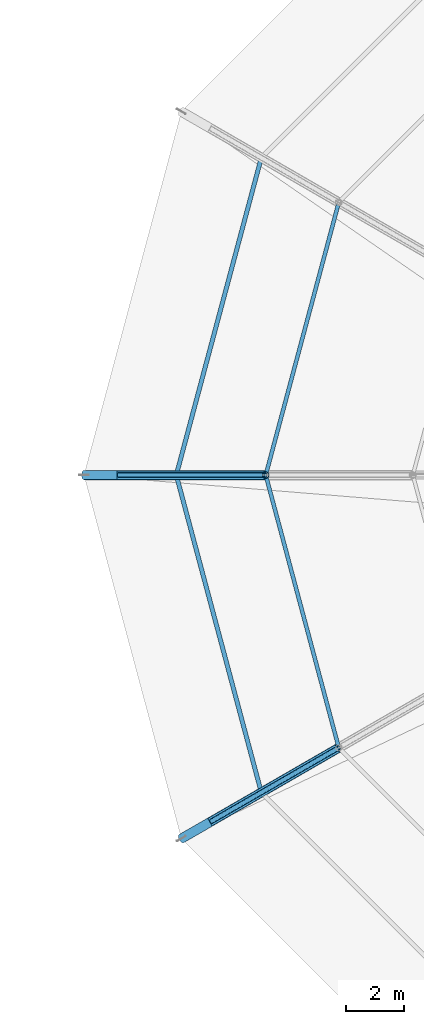
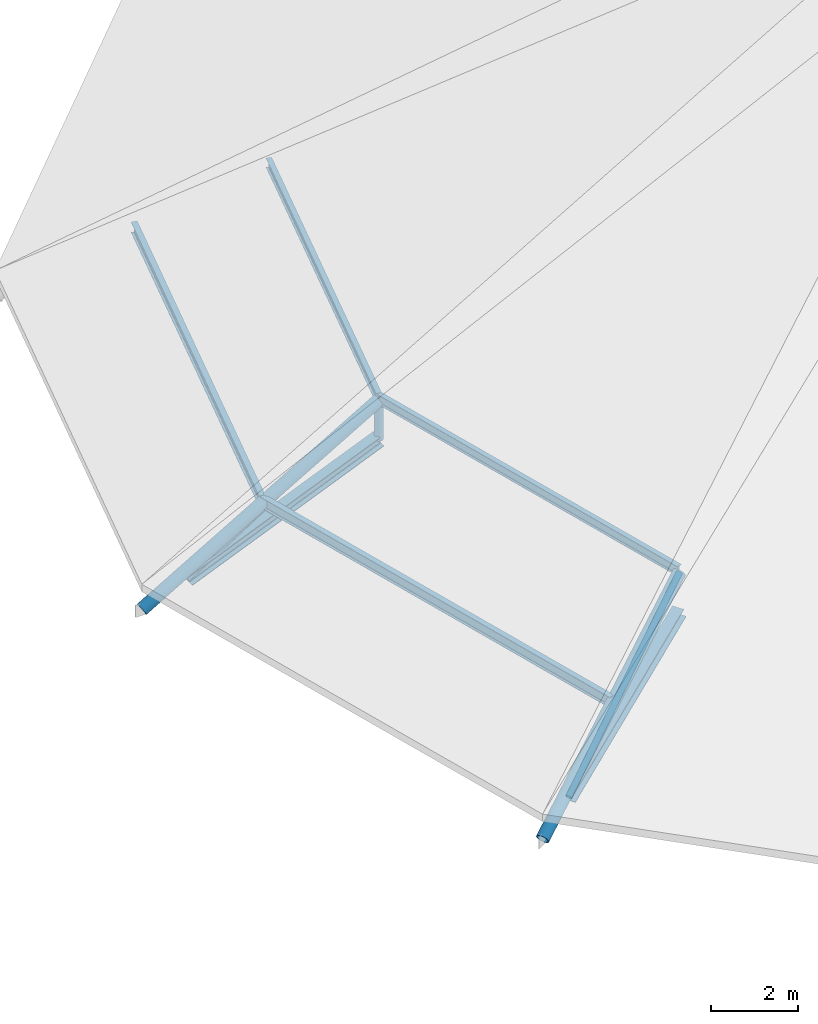
# One storey, part 10 of 58: 11 members.
"""IFC4 building model written with IfcOpenShell, lengths in metres."""

from ifc_helpers import new_model, si_unit, derived_unit, direction, frame, origin, origin_2d, place, context, subcontext, project, spatial, hollow_circle, i_section, extrude, material, material_profile, profile_set, type_object, element, save


model = new_model("IFC4")

# Units and contexts
model_context = context("Model", 3, precision=1e-05, world=origin(), true_north=direction((0.0, 1.0)))
body_context = subcontext(model_context, "Body", "Model", "MODEL_VIEW")
ifc_project = project(units=[si_unit("LENGTHUNIT", "METRE"), si_unit("AREAUNIT", "SQUARE_METRE"), si_unit("VOLUMEUNIT", "CUBIC_METRE"), si_unit("PLANEANGLEUNIT", "RADIAN"), si_unit("MASSUNIT", "GRAM", prefix="KILO"), derived_unit("THERMALTRANSMITTANCEUNIT", [(si_unit("POWERUNIT", "WATT"), 1), (si_unit("AREAUNIT", "SQUARE_METRE"), -1), (si_unit("THERMODYNAMICTEMPERATUREUNIT", "KELVIN"), -1)])], contexts=[model_context])

# Site, building, storey
site_placement = place(None, origin())
site = spatial("IfcSite", under=ifc_project, at=site_placement, CompositionType="ELEMENT")
building_placement = place(site_placement, origin())
building = spatial("IfcBuilding", under=site, at=building_placement, Name="Yasenodar Specialist Clinic", CompositionType="ELEMENT")
storey_placement = place(building_placement, frame((0.0, 0.0, 21.300048828125)))
storey = spatial("IfcBuildingStorey", under=building, at=storey_placement, Name="L05", CompositionType="ELEMENT", Elevation=21.300048828125)

# Members
ifc_material = material(Name="Steel S355", Category="steel")
ifc_material_profile_1 = material_profile(ifc_material, i_section(OverallWidth=0.135009765625, OverallDepth=0.27001953125, WebThickness=0.006591796875, FlangeThickness=0.01025390625, FilletRadius=0.014892578125, at=origin_2d()), Name="IPE 270")
ifc_profile_set_1 = profile_set([ifc_material_profile_1], Name="Steel S355")
member_type_1 = type_object("IfcMemberType", Name="PR-IPE270", PredefinedType="PURLIN", material=ifc_profile_set_1)
for number, where, z_axis, x_axis, name in (
    (1, (64.632080078125, 68.25, 3.034912109375), (-0.258807184805, -0.965929004168, 0.0), (0.965929004168, -0.258807184805, 0.0), "Drum Roof Concentric Purlin 2.06"),
    (2, (62.10009765625, 58.800048828125, 3.034912109375), (0.258807184805, -0.965929004168, 0.0), (0.965929004168, 0.258807184805, 0.0), "Drum Roof Concentric Purlin 2.07"),
):
    element("IfcMember", number, at=place(storey_placement, frame(where, z_axis=z_axis, x_axis=x_axis)), inside=storey, type_object=member_type_1, Name=name, PredefinedType="PURLIN", context=body_context, shape_type="SweptSolid", body=[
        extrude(i_section(OverallWidth=0.135009765625, OverallDepth=0.27001953125, WebThickness=0.006591796875, FlangeThickness=0.01025390625, FilletRadius=0.014892578125, at=origin_2d()), origin(), (0.0, 0.0, 1.0), 9.783203125),
    ])
ifc_material_profile_2 = material_profile(ifc_material, i_section(OverallWidth=0.14990234375, OverallDepth=0.300048828125, WebThickness=0.007080078125, FlangeThickness=0.0107421875, FilletRadius=0.014892578125, at=origin_2d()), Name="IPE 300")
ifc_profile_set_2 = profile_set([ifc_material_profile_2], Name="Steel S355")
member_type_2 = type_object("IfcMemberType", Name="PR-IPE300", PredefinedType="PURLIN", material=ifc_profile_set_2)
for number, where, z_axis, x_axis, name in (
    (3, (61.947509765625, 69.800048828125, 1.2265625), (-0.258824669437, -0.965924319236, 0.0), (0.965924319236, -0.258824669437, 0.0), "Drum Roof Concentric Purlin 1.06"),
    (4, (59.0, 58.800048828125, 1.2265625), (0.258824669437, -0.965924319236, 0.0), (0.965924319236, 0.258824669437, 0.0), "Drum Roof Concentric Purlin 1.07"),
):
    element("IfcMember", number, at=place(storey_placement, frame(where, z_axis=z_axis, x_axis=x_axis)), inside=storey, type_object=member_type_2, Name=name, PredefinedType="PURLIN", context=body_context, shape_type="SweptSolid", body=[
        extrude(i_section(OverallWidth=0.14990234375, OverallDepth=0.300048828125, WebThickness=0.007080078125, FlangeThickness=0.0107421875, FilletRadius=0.014892578125, at=origin_2d()), origin(), (0.0, 0.0, 1.0), 11.387939453125),
    ])
ifc_material_profile_3 = material_profile(ifc_material, hollow_circle(Radius=0.084228515625, WallThickness=0.008056640625, at=origin_2d()), Name="CHS 168.3x8")
ifc_profile_set_3 = profile_set([ifc_material_profile_3], Name="Steel S355")
member_type_3 = type_object("IfcMemberType", Name="TR-BRC-CHS168", PredefinedType="BRACE", material=ifc_profile_set_3)
for number, where, z_axis, x_axis, name in (
    (5, (57.0, 58.800048828125, -0.25), (0.845209012224, 0.0, 0.534435894804), (0.0, 1.0, 0.0), "Drum Roof Truss 07 Web Diagonal 1"),
    (6, (60.21533203125, 46.800048828125, -0.25), (0.731967391976, 0.422607893936, 0.534440179128), (-0.500005610874, 0.86602216432, 0.0), "Drum Roof Truss 08 Web Diagonal 1"),
):
    element("IfcMember", number, at=place(storey_placement, frame(where, z_axis=z_axis, x_axis=x_axis)), inside=storey, type_object=member_type_3, Name=name, PredefinedType="BRACE", context=body_context, shape_type="SweptSolid", body=[
        extrude(hollow_circle(Radius=0.084228515625, WallThickness=0.008056640625, at=origin_2d()), origin(), (0.0, 0.0, 1.0), 6.0341796875),
    ])
ifc_material_profile_4 = material_profile(ifc_material, hollow_circle(Radius=0.161865234375, WallThickness=0.01611328125, at=origin_2d()), Name="CHS 323.9x16")
ifc_profile_set_4 = profile_set([ifc_material_profile_4], Name="Steel S355")
member_type_4 = type_object("IfcMemberType", Name="TR-CHD-CHS324", PredefinedType="CHORD", material=ifc_profile_set_4)
for number, where, z_axis, x_axis, name in (
    (7, (55.800048828125, 58.800048828125, -0.699951171875), (0.86379225544, 0.0, 0.503848131327), (0.0, 1.0, 0.0), "Drum Roof Truss 07 Top Chord 1"),
    (8, (59.17626953125, 46.199951171875, -0.699951171875), (0.748049048481, 0.431918238356, 0.503854400042), (-0.500027713859, 0.866009402589, 0.0), "Drum Roof Truss 08 Top Chord 1"),
):
    element("IfcMember", number, at=place(storey_placement, frame(where, z_axis=z_axis, x_axis=x_axis)), inside=storey, type_object=member_type_4, Name=name, PredefinedType="CHORD", context=body_context, shape_type="SweptSolid", body=[
        extrude(hollow_circle(Radius=0.161865234375, WallThickness=0.01611328125, at=origin_2d()), origin(), (0.0, 0.0, 1.0), 7.29345703125),
    ])
ifc_material_profile_5 = material_profile(ifc_material, i_section(OverallWidth=0.300048828125, OverallDepth=0.300048828125, WebThickness=0.010986328125, FlangeThickness=0.01904296875, FilletRadius=0.027099609375, at=origin_2d()), Name="HEB 300")
ifc_profile_set_5 = profile_set([ifc_material_profile_5], Name="Steel S355")
member_type_5 = type_object("IfcMemberType", Name="TR-CHD-HEB300", PredefinedType="CHORD", material=ifc_profile_set_5)
for number, where, z_axis, x_axis, name in (
    (9, (57.0, 58.800048828125, -0.25), (0.92227816564, 0.0, 0.386526823369), (0.0, 1.0, 0.0), "Drum Roof Truss 07 Bottom Chord 1"),
    (10, (60.21533203125, 46.800048828125, -0.25), (0.798711994016, 0.461143484467, 0.38653051283), (-0.500005610874, 0.86602216432, 0.0), "Drum Roof Truss 08 Bottom Chord 1"),
):
    element("IfcMember", number, at=place(storey_placement, frame(where, z_axis=z_axis, x_axis=x_axis)), inside=storey, type_object=member_type_5, Name=name, PredefinedType="CHORD", context=body_context, shape_type="SweptSolid", body=[
        extrude(i_section(OverallWidth=0.300048828125, OverallDepth=0.300048828125, WebThickness=0.010986328125, FlangeThickness=0.01904296875, FilletRadius=0.027099609375, at=origin_2d()), origin(), (0.0, 0.0, 1.0), 5.52978515625),
    ])
ifc_material_profile_6 = material_profile(ifc_material, hollow_circle(Radius=0.109619140625, WallThickness=0.010009765625, at=origin_2d()), Name="CHS 219.1x10")
ifc_profile_set_6 = profile_set([ifc_material_profile_6], Name="Steel S355")
member_type_6 = type_object("IfcMemberType", Name="TR-STR-CHS219", PredefinedType="STRUT", material=ifc_profile_set_6)
member_placement = place(storey_placement, frame((62.10009765625, 58.800048828125, 1.887451171875), z_axis=(0.0, 0.0, 1.0), x_axis=(1.0, 0.0, 0.0)))
element("IfcMember", 11, at=member_placement, inside=storey, type_object=member_type_6, Name="Drum Roof Truss 07 Strut 1", PredefinedType="STRUT", context=body_context, shape_type="SweptSolid", body=[
    extrude(hollow_circle(Radius=0.109619140625, WallThickness=0.010009765625, at=origin_2d()), origin(), (0.0, 0.0, 1.0), 1.08740234375),
])

save(model, "model.ifc")
